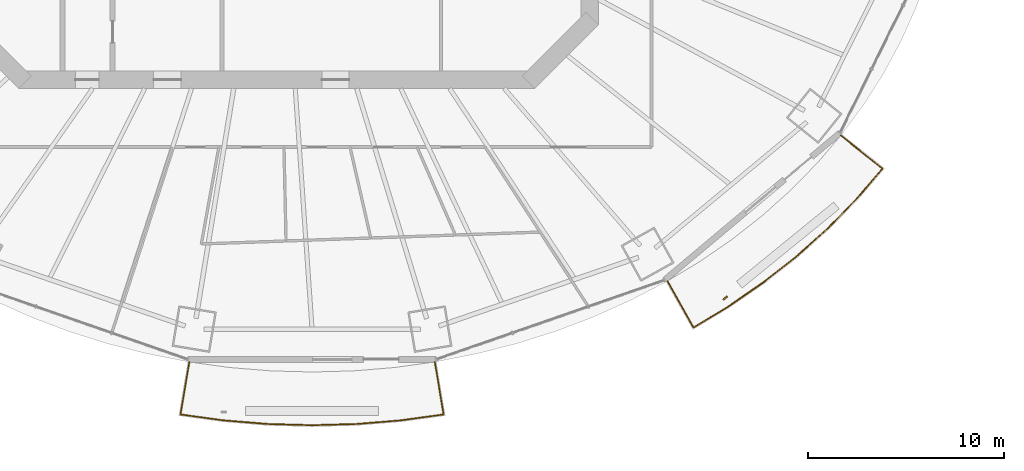
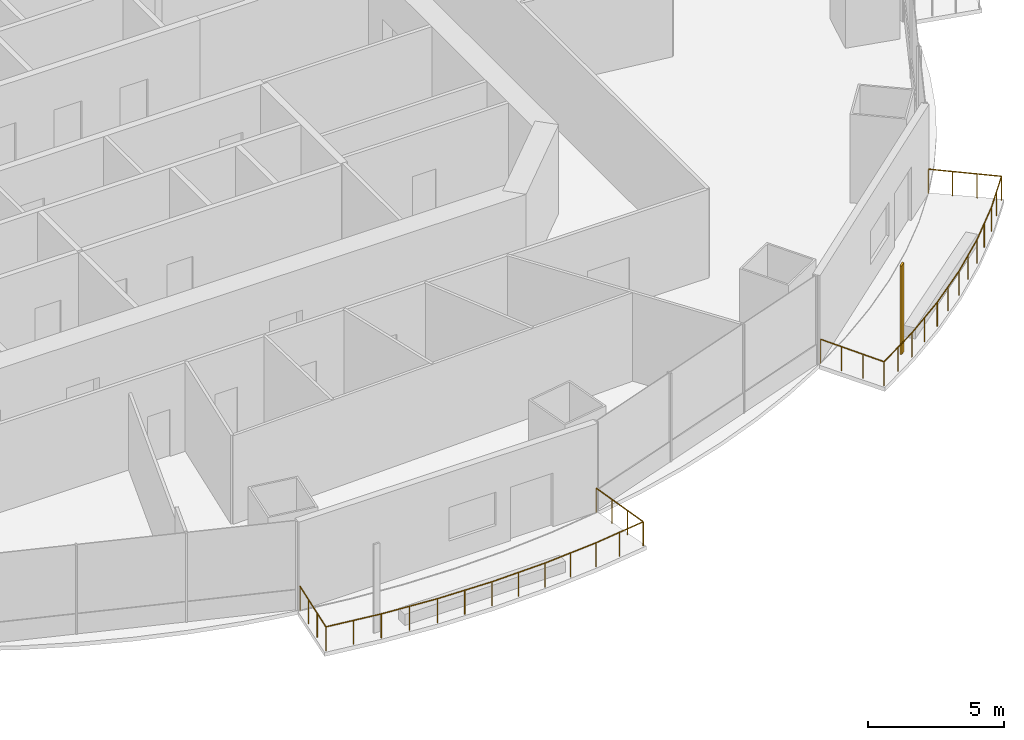
# One storey, part 16 of 20: 2 railings, 1 shading device.
"""IFC4 building model written with IfcOpenShell, lengths in metres."""

from ifc_helpers import new_model, si_unit, direction, frame, origin, origin_2d, place, context, subcontext, project, spatial, rectangle, circle, extrude, material, material_profile, profile_set, type_object, element, save


model = new_model("IFC4")

# Units and contexts
model_context = context("Model", 3, precision=1e-05, world=origin(), true_north=direction((0.0, 1.0)))
body_context = subcontext(model_context, "Body", "Model", "MODEL_VIEW")
ifc_project = project(units=[si_unit("LENGTHUNIT", "METRE"), si_unit("AREAUNIT", "SQUARE_METRE"), si_unit("VOLUMEUNIT", "CUBIC_METRE"), si_unit("PLANEANGLEUNIT", "RADIAN"), si_unit("MASSUNIT", "GRAM", prefix="KILO")], contexts=[model_context])

# Site, building, storey
site_placement = place(None, origin())
site = spatial("IfcSite", under=ifc_project, at=site_placement, CompositionType="ELEMENT")
building_placement = place(site_placement, origin())
building = spatial("IfcBuilding", under=site, at=building_placement, Name="Marenthal Gate Tower", CompositionType="ELEMENT")
storey_placement = place(building_placement, frame((0.0, 0.0, 177.64990234375)))
storey = spatial("IfcBuildingStorey", under=building, at=storey_placement, Name="L38", CompositionType="ELEMENT", Elevation=177.64990234375)

# Railings
ifc_material_1 = material(Name="Stainless steel", Category="steel")
railing_type = type_object("IfcRailingType", Name="Balcony guard 1100", PredefinedType="GUARDRAIL", material=ifc_material_1)
railing_1_placement = place(storey_placement, frame((8.07666015625, -27.433837890625, 0.0)))
element("IfcRailing", 1, at=railing_1_placement, inside=storey, type_object=railing_type, Name="Balcony guard L38 bay 12", PredefinedType="GUARDRAIL", context=body_context, shape_type="SweptSolid", body=[
    extrude(circle(Radius=0.02392578125, at=origin_2d()), frame((0.0, 0.0, 1.076171875), z_axis=(0.164788911801, -0.986220350145, -0.014629952409), x_axis=(0.986325910177, 0.164806549971, 0.0)), (0.0, 0.0, 1.0), 2.72021484375),
    extrude(circle(Radius=0.02392578125, at=origin_2d()), frame((0.4482421875, -2.6826171875, 1.0361328125), z_axis=(-0.990666259572, -0.136309802087, 0.0), x_axis=(0.136309802087, -0.990666259572, 0.0)), (0.0, 0.0, 1.0), 2.194091796875),
    extrude(circle(Radius=0.02392578125, at=origin_2d()), frame((-1.725341796875, -2.981689453125, 1.0361328125), z_axis=(-0.996600946848, -0.082380536185, 0.0), x_axis=(0.082380536185, -0.996600946848, 0.0)), (0.0, 0.0, 1.0), 2.279052734375),
    extrude(circle(Radius=0.02392578125, at=origin_2d()), frame((-3.99658203125, -3.16943359375, 1.0361328125), z_axis=(-0.999621567071, -0.027508592219, 0.0), x_axis=(0.027508592219, -0.999621567071, 0.0)), (0.0, 0.0, 1.0), 2.281005859375),
    extrude(circle(Radius=0.02392578125, at=origin_2d()), frame((-6.276611328125, -3.232177734375, 1.0361328125), z_axis=(-0.999621648056, 0.027505649202, 0.0), x_axis=(-0.027505649202, -0.999621648056, 0.0)), (0.0, 0.0, 1.0), 2.28125),
    extrude(circle(Radius=0.02392578125, at=origin_2d()), frame((-8.556884765625, -3.16943359375, 1.0361328125), z_axis=(-0.996600219709, 0.082389332289, 0.0), x_axis=(-0.082389332289, -0.996600219709, 0.0)), (0.0, 0.0, 1.0), 2.27880859375),
    extrude(circle(Radius=0.02392578125, at=origin_2d()), frame((-10.827880859375, -2.981689453125, 1.0361328125), z_axis=(-0.990666259572, 0.136309802087, 0.0), x_axis=(-0.136309802087, -0.990666259572, 0.0)), (0.0, 0.0, 1.0), 2.194091796875),
    extrude(circle(Radius=0.02392578125, at=origin_2d()), frame((-13.00146484375, -2.6826171875, 1.0361328125), z_axis=(0.164788911801, 0.986220350145, 0.014629952409), x_axis=(-0.986325910177, 0.164806549971, 0.0)), (0.0, 0.0, 1.0), 2.72021484375),
    extrude(circle(Radius=0.02099609375, at=origin_2d()), origin(), (0.0, 0.0, 1.0), 1.052001953125),
    extrude(circle(Radius=0.02099609375, at=origin_2d()), frame((0.1494140625, -0.894287109375, -0.01318359375)), (0.0, 0.0, 1.0), 1.052001953125),
    extrude(circle(Radius=0.02099609375, at=origin_2d()), frame((0.298828125, -1.788330078125, -0.026611328125)), (0.0, 0.0, 1.0), 1.052001953125),
    extrude(circle(Radius=0.02099609375, at=origin_2d()), frame((0.4482421875, -2.6826171875, -0.039794921875)), (0.0, 0.0, 1.0), 1.052001953125),
    extrude(circle(Radius=0.02099609375, at=origin_2d()), frame((-0.638671875, -2.83203125, -0.039794921875)), (0.0, 0.0, 1.0), 1.052001953125),
    extrude(circle(Radius=0.02099609375, at=origin_2d()), frame((-1.725341796875, -2.981689453125, -0.039794921875)), (0.0, 0.0, 1.0), 1.052001953125),
    extrude(circle(Radius=0.02099609375, at=origin_2d()), frame((-2.86083984375, -3.07568359375, -0.039794921875)), (0.0, 0.0, 1.0), 1.052001953125),
    extrude(circle(Radius=0.02099609375, at=origin_2d()), frame((-3.99658203125, -3.16943359375, -0.039794921875)), (0.0, 0.0, 1.0), 1.052001953125),
    extrude(circle(Radius=0.02099609375, at=origin_2d()), frame((-5.13671875, -3.20068359375, -0.039794921875)), (0.0, 0.0, 1.0), 1.052001953125),
    extrude(circle(Radius=0.02099609375, at=origin_2d()), frame((-6.276611328125, -3.232177734375, -0.039794921875)), (0.0, 0.0, 1.0), 1.052001953125),
    extrude(circle(Radius=0.02099609375, at=origin_2d()), frame((-7.416748046875, -3.20068359375, -0.039794921875)), (0.0, 0.0, 1.0), 1.052001953125),
    extrude(circle(Radius=0.02099609375, at=origin_2d()), frame((-8.556884765625, -3.16943359375, -0.039794921875)), (0.0, 0.0, 1.0), 1.052001953125),
    extrude(circle(Radius=0.02099609375, at=origin_2d()), frame((-9.6923828125, -3.07568359375, -0.039794921875)), (0.0, 0.0, 1.0), 1.052001953125),
    extrude(circle(Radius=0.02099609375, at=origin_2d()), frame((-10.827880859375, -2.981689453125, -0.039794921875)), (0.0, 0.0, 1.0), 1.052001953125),
    extrude(circle(Radius=0.02099609375, at=origin_2d()), frame((-11.91455078125, -2.83203125, -0.039794921875)), (0.0, 0.0, 1.0), 1.052001953125),
    extrude(circle(Radius=0.02099609375, at=origin_2d()), frame((-13.00146484375, -2.6826171875, -0.039794921875)), (0.0, 0.0, 1.0), 1.052001953125),
    extrude(circle(Radius=0.02099609375, at=origin_2d()), frame((-12.85205078125, -1.788330078125, -0.026611328125)), (0.0, 0.0, 1.0), 1.052001953125),
    extrude(circle(Radius=0.02099609375, at=origin_2d()), frame((-12.70263671875, -0.894287109375, -0.01318359375)), (0.0, 0.0, 1.0), 1.052001953125),
    extrude(circle(Radius=0.02099609375, at=origin_2d()), frame((-12.55322265625, 0.0, 0.0)), (0.0, 0.0, 1.0), 1.052001953125),
])
railing_2_placement = place(storey_placement, frame((28.8369140625, -15.855224609375, 0.0)))
element("IfcRailing", 2, at=railing_2_placement, inside=storey, type_object=railing_type, Name="Balcony guard L38 bay 14", PredefinedType="GUARDRAIL", context=body_context, shape_type="SweptSolid", body=[
    extrude(circle(Radius=0.02392578125, at=origin_2d()), frame((0.0, 0.0, 1.076171875), z_axis=(0.782620644896, -0.622327012811, -0.014629262055), x_axis=(0.622393617256, 0.78270440474, 0.0)), (0.0, 0.0, 1.0), 2.72021484375),
    extrude(circle(Radius=0.02392578125, at=origin_2d()), frame((2.12890625, -1.69287109375, 1.0361328125), z_axis=(-0.650183496944, -0.759777217546, 0.0), x_axis=(0.759777217546, -0.650183496944, 0.0)), (0.0, 0.0, 1.0), 2.018310546875),
    extrude(circle(Radius=0.02392578125, at=origin_2d()), frame((0.816650390625, -3.226318359375, 1.0361328125), z_axis=(-0.699042916959, -0.715079716011, 0.0), x_axis=(0.715079716011, -0.699042916959, 0.0)), (0.0, 0.0, 1.0), 2.1162109375),
    extrude(circle(Radius=0.02392578125, at=origin_2d()), frame((-0.66259765625, -4.739501953125, 1.0361328125), z_axis=(-0.74466355171, -0.66744003083, 0.0), x_axis=(0.66744003083, -0.74466355171, 0.0)), (0.0, 0.0, 1.0), 2.134033203125),
    extrude(circle(Radius=0.02392578125, at=origin_2d()), frame((-2.251708984375, -6.163818359375, 1.0361328125), z_axis=(-0.786129411557, -0.618061929167, 0.0), x_axis=(0.618061929167, -0.786129411557, 0.0)), (0.0, 0.0, 1.0), 2.15283203125),
    extrude(circle(Radius=0.02392578125, at=origin_2d()), frame((-3.944091796875, -7.494384765625, 1.0361328125), z_axis=(-0.823473734687, -0.567354393903, 0.0), x_axis=(0.567354393903, -0.823473734687, 0.0)), (0.0, 0.0, 1.0), 2.17041015625),
    extrude(circle(Radius=0.02392578125, at=origin_2d()), frame((-5.7314453125, -8.725830078125, 1.0361328125), z_axis=(-0.856264483042, -0.516537641494, 0.0), x_axis=(0.516537641494, -0.856264483042, 0.0)), (0.0, 0.0, 1.0), 2.1083984375),
    extrude(circle(Radius=0.02392578125, at=origin_2d()), frame((-7.536865234375, -9.81494140625, 1.0361328125), z_axis=(-0.489479979187, 0.871891822112, 0.014628756254), x_axis=(-0.871985129735, -0.489532362077, 0.0)), (0.0, 0.0, 1.0), 2.72021484375),
    extrude(circle(Radius=0.02099609375, at=origin_2d()), origin(), (0.0, 0.0, 1.0), 1.052001953125),
    extrude(circle(Radius=0.02099609375, at=origin_2d()), frame((0.709716796875, -0.564208984375, -0.01318359375)), (0.0, 0.0, 1.0), 1.052001953125),
    extrude(circle(Radius=0.02099609375, at=origin_2d()), frame((1.419189453125, -1.128662109375, -0.026611328125)), (0.0, 0.0, 1.0), 1.052001953125),
    extrude(circle(Radius=0.02099609375, at=origin_2d()), frame((2.12890625, -1.69287109375, -0.039794921875)), (0.0, 0.0, 1.0), 1.052001953125),
    extrude(circle(Radius=0.02099609375, at=origin_2d()), frame((1.47265625, -2.45947265625, -0.039794921875)), (0.0, 0.0, 1.0), 1.052001953125),
    extrude(circle(Radius=0.02099609375, at=origin_2d()), frame((0.816650390625, -3.226318359375, -0.039794921875)), (0.0, 0.0, 1.0), 1.052001953125),
    extrude(circle(Radius=0.02099609375, at=origin_2d()), frame((0.0771484375, -3.98291015625, -0.039794921875)), (0.0, 0.0, 1.0), 1.052001953125),
    extrude(circle(Radius=0.02099609375, at=origin_2d()), frame((-0.66259765625, -4.739501953125, -0.039794921875)), (0.0, 0.0, 1.0), 1.052001953125),
    extrude(circle(Radius=0.02099609375, at=origin_2d()), frame((-1.45703125, -5.45166015625, -0.039794921875)), (0.0, 0.0, 1.0), 1.052001953125),
    extrude(circle(Radius=0.02099609375, at=origin_2d()), frame((-2.251708984375, -6.163818359375, -0.039794921875)), (0.0, 0.0, 1.0), 1.052001953125),
    extrude(circle(Radius=0.02099609375, at=origin_2d()), frame((-3.097900390625, -6.8291015625, -0.039794921875)), (0.0, 0.0, 1.0), 1.052001953125),
    extrude(circle(Radius=0.02099609375, at=origin_2d()), frame((-3.944091796875, -7.494384765625, -0.039794921875)), (0.0, 0.0, 1.0), 1.052001953125),
    extrude(circle(Radius=0.02099609375, at=origin_2d()), frame((-4.837890625, -8.110107421875, -0.039794921875)), (0.0, 0.0, 1.0), 1.052001953125),
    extrude(circle(Radius=0.02099609375, at=origin_2d()), frame((-5.7314453125, -8.725830078125, -0.039794921875)), (0.0, 0.0, 1.0), 1.052001953125),
    extrude(circle(Radius=0.02099609375, at=origin_2d()), frame((-6.63427734375, -9.2705078125, -0.039794921875)), (0.0, 0.0, 1.0), 1.052001953125),
    extrude(circle(Radius=0.02099609375, at=origin_2d()), frame((-7.536865234375, -9.81494140625, -0.039794921875)), (0.0, 0.0, 1.0), 1.052001953125),
    extrude(circle(Radius=0.02099609375, at=origin_2d()), frame((-7.980712890625, -9.0244140625, -0.026611328125)), (0.0, 0.0, 1.0), 1.052001953125),
    extrude(circle(Radius=0.02099609375, at=origin_2d()), frame((-8.424560546875, -8.233642578125, -0.01318359375)), (0.0, 0.0, 1.0), 1.052001953125),
    extrude(circle(Radius=0.02099609375, at=origin_2d()), frame((-8.868408203125, -7.443115234375, 0.0)), (0.0, 0.0, 1.0), 1.052001953125),
])

# Shading device
ifc_material_2 = material(Name="Terracotta", Category="masonry")
ifc_material_profile = material_profile(ifc_material_2, rectangle(XDim=0.25, YDim=0.080078125, at=origin_2d()), Name="Terracotta baguette 250x80")
ifc_profile_set = profile_set([ifc_material_profile], Name="Terracotta")
shading_device_type = type_object("IfcShadingDeviceType", Name="Terracotta BAGUETTE SCREEN 250x80", PredefinedType="USERDEFINED", material=ifc_profile_set)
shading_device_placement = place(storey_placement, frame((22.927734375, -24.16455078125, -0.039794921875), z_axis=(0.0, 0.0, 1.0), x_axis=(0.765850387542, 0.643018805247, 0.0)))
element("IfcShadingDevice", 3, at=shading_device_placement, inside=storey, type_object=shading_device_type, Name="Terracotta BAGUETTE L38 bay 14L", ObjectType="BAGUETTE SCREEN", PredefinedType="USERDEFINED", context=body_context, shape_type="SweptSolid", body=[
    extrude(rectangle(XDim=0.25, YDim=0.080078125, at=origin_2d()), origin(), (0.0, 0.0, 1.0), 3.969970703125),
])

save(model, "model.ifc")
